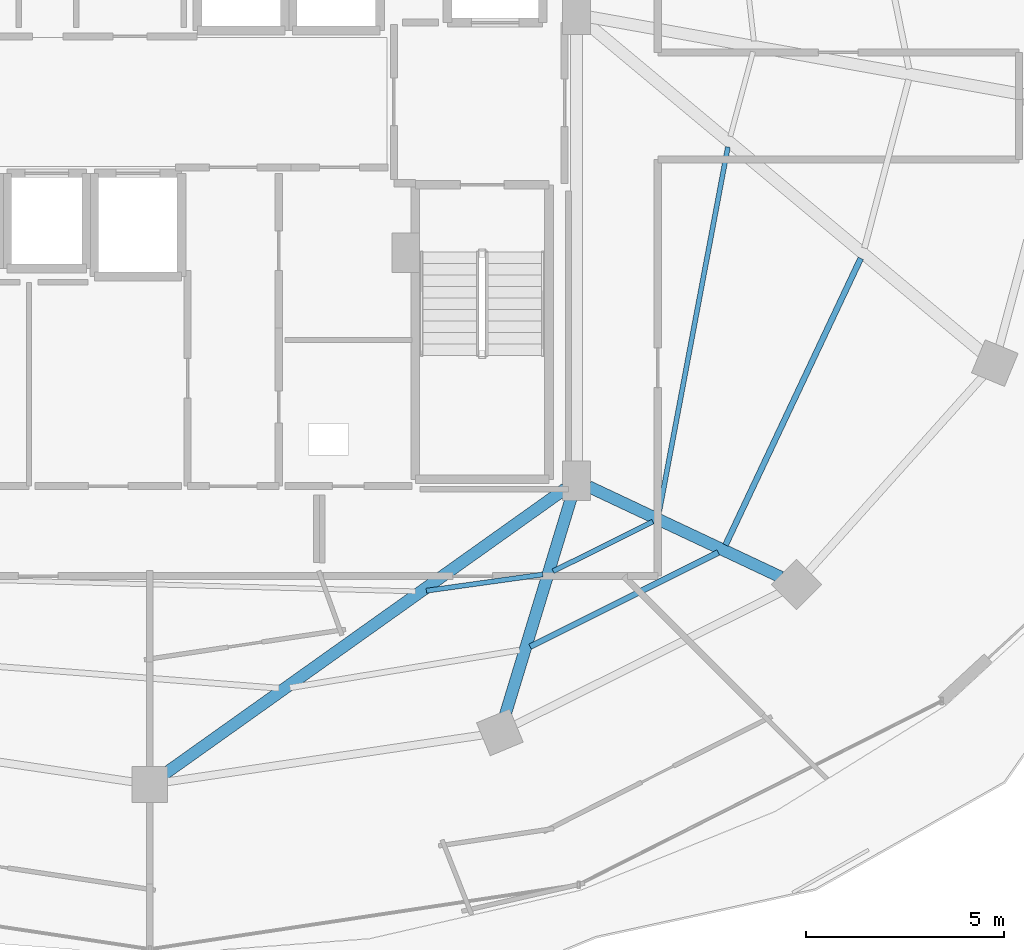
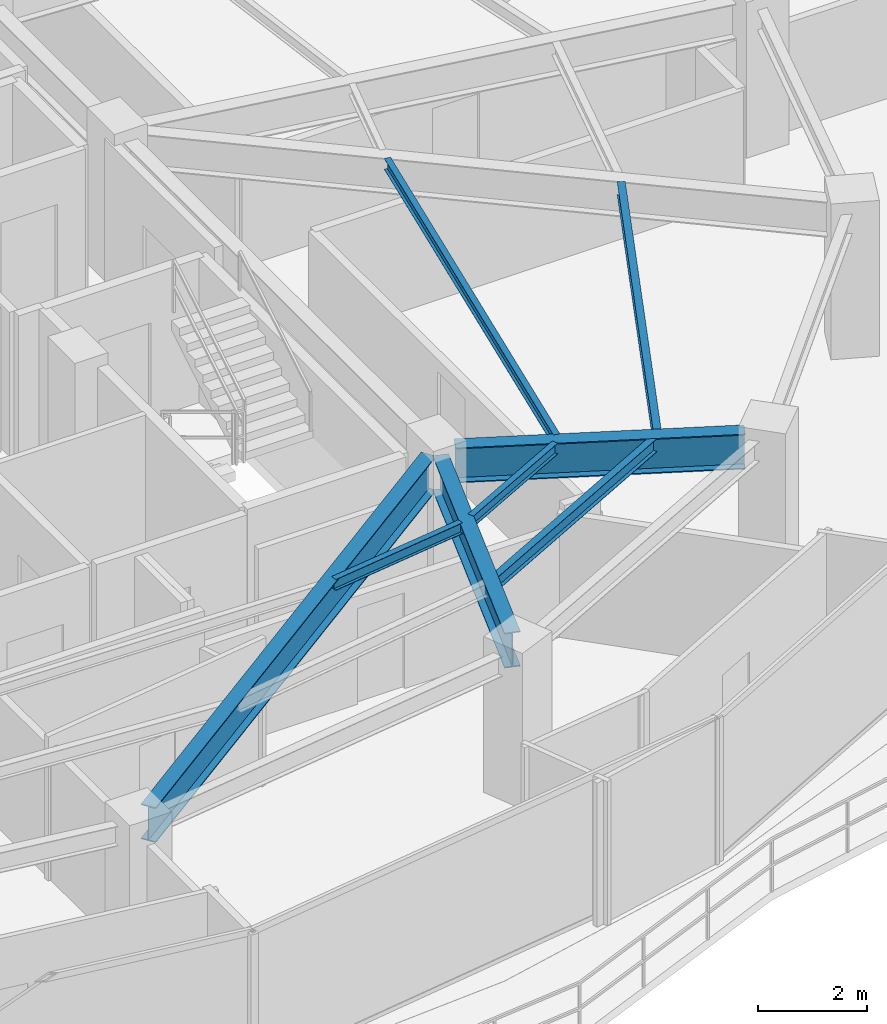
# One storey, part 12 of 33: 8 beams.
"""IFC4 building model written with IfcOpenShell, lengths in metres."""

from ifc_helpers import new_model, si_unit, direction, frame, origin, origin_2d, place, context, subcontext, project, spatial, i_section, extrude, material, material_profile, profile_set, type_object, element, save


model = new_model("IFC4")

# Units and contexts
model_context = context("Model", 3, precision=1e-05, world=origin(), true_north=direction((0.0, 1.0)))
body_context = subcontext(model_context, "Body", "Model", "MODEL_VIEW")
ifc_project = project(units=[si_unit("LENGTHUNIT", "METRE"), si_unit("AREAUNIT", "SQUARE_METRE"), si_unit("VOLUMEUNIT", "CUBIC_METRE"), si_unit("PLANEANGLEUNIT", "RADIAN"), si_unit("MASSUNIT", "GRAM", prefix="KILO")], contexts=[model_context])

# Site, building, storey
site_placement = place(None, origin())
site = spatial("IfcSite", under=ifc_project, at=site_placement, CompositionType="ELEMENT")
building_placement = place(site_placement, origin())
building = spatial("IfcBuilding", under=site, at=building_placement, Name="Vorneva Point Tower", CompositionType="ELEMENT")
storey_placement = place(building_placement, frame((0.0, 0.0, 189.60009765625)))
storey = spatial("IfcBuildingStorey", under=building, at=storey_placement, Name="L51", CompositionType="ELEMENT", Elevation=189.60009765625)

# Beams
ifc_material = material(Name="Steel S355", Category="steel")
ifc_material_profile_1 = material_profile(ifc_material, i_section(OverallWidth=0.300048828125, OverallDepth=0.7880859375, WebThickness=0.014404296875, FlangeThickness=0.02197265625, at=origin_2d()), Name="80Sh1")
ifc_profile_set_1 = profile_set([ifc_material_profile_1], Name="Steel S355")
beam_type_1 = type_object("IfcBeamType", Name="BM-GRD-80Sh1", PredefinedType="USERDEFINED", material=ifc_profile_set_1)
beam_1_placement = place(storey_placement, frame((38.35693359375, 9.053955078125, 2.845947265625), z_axis=(0.814749933852, 0.579812508737, 0.0), x_axis=(-0.579812508737, 0.814749933852, 0.0)))
element("IfcBeam", 1, at=beam_1_placement, inside=storey, type_object=beam_type_1, Name="L51 Radial Primary Girder 13", ObjectType="GIRDER", PredefinedType="USERDEFINED", context=body_context, shape_type="SweptSolid", body=[
    extrude(i_section(OverallWidth=0.300048828125, OverallDepth=0.7880859375, WebThickness=0.014404296875, FlangeThickness=0.02197265625, at=origin_2d()), origin(), (0.0, 0.0, 1.0), 12.416015625),
])
beam_2_placement = place(storey_placement, frame((46.948486328125, 10.5283203125, 2.845947265625), z_axis=(0.291025429135, 0.956715317948, 0.0), x_axis=(-0.956715317948, 0.291025429135, 0.0)))
element("IfcBeam", 2, at=beam_2_placement, inside=storey, type_object=beam_type_1, Name="L51 Radial Primary Girder 14", ObjectType="GIRDER", PredefinedType="USERDEFINED", context=body_context, shape_type="SweptSolid", body=[
    extrude(i_section(OverallWidth=0.300048828125, OverallDepth=0.7880859375, WebThickness=0.014404296875, FlangeThickness=0.02197265625, at=origin_2d()), origin(), (0.0, 0.0, 1.0), 5.849609375),
])
beam_3_placement = place(storey_placement, frame((53.902587890625, 14.0244140625, 2.845947265625), z_axis=(-0.904762899762, 0.42591559635, 0.0), x_axis=(-0.42591559635, -0.904762899762, 0.0)))
element("IfcBeam", 3, at=beam_3_placement, inside=storey, type_object=beam_type_1, Name="L51 Radial Primary Girder 15", ObjectType="GIRDER", PredefinedType="USERDEFINED", context=body_context, shape_type="SweptSolid", body=[
    extrude(i_section(OverallWidth=0.300048828125, OverallDepth=0.7880859375, WebThickness=0.014404296875, FlangeThickness=0.02197265625, at=origin_2d()), origin(), (0.0, 0.0, 1.0), 5.35498046875),
])
ifc_material_profile_2 = material_profile(ifc_material, i_section(OverallWidth=0.1240234375, OverallDepth=0.248046875, WebThickness=0.0048828125, FlangeThickness=0.008056640625, at=origin_2d()), Name="25B1")
ifc_profile_set_2 = profile_set([ifc_material_profile_2], Name="Steel S355")
beam_type_2 = type_object("IfcBeamType", Name="BM-JST-25B1", PredefinedType="JOIST", material=ifc_profile_set_2)
beam_4_placement = place(storey_placement, frame((44.968017578125, 13.680419921875, 3.115966796875), z_axis=(0.990354192347, 0.138558917797, 0.0), x_axis=(-0.138558917797, 0.990354192347, 0.0)))
element("IfcBeam", 4, at=beam_4_placement, inside=storey, type_object=beam_type_2, Name="L51 Secondary Floor Beam 2.13", PredefinedType="JOIST", context=body_context, shape_type="SweptSolid", body=[
    extrude(i_section(OverallWidth=0.1240234375, OverallDepth=0.248046875, WebThickness=0.0048828125, FlangeThickness=0.008056640625, at=origin_2d()), origin(), (0.0, 0.0, 1.0), 2.9619140625),
])
beam_5_placement = place(storey_placement, frame((48.16162109375, 14.17138671875, 3.115966796875), z_axis=(0.895432586212, 0.445197128865, 0.0), x_axis=(-0.445197128865, 0.895432586212, 0.0)))
element("IfcBeam", 5, at=beam_5_placement, inside=storey, type_object=beam_type_2, Name="L51 Secondary Floor Beam 2.14", PredefinedType="JOIST", context=body_context, shape_type="SweptSolid", body=[
    extrude(i_section(OverallWidth=0.1240234375, OverallDepth=0.248046875, WebThickness=0.0048828125, FlangeThickness=0.008056640625, at=origin_2d()), origin(), (0.0, 0.0, 1.0), 2.810546875),
])
beam_6_placement = place(storey_placement, frame((50.827392578125, 15.61962890625, 3.115966796875), z_axis=(0.184913715459, 0.982754759762, 0.0), x_axis=(-0.982754759762, 0.184913715459, 0.0)))
element("IfcBeam", 6, at=beam_6_placement, inside=storey, type_object=beam_type_2, Name="L51 Secondary Floor Beam 2.15", PredefinedType="JOIST", context=body_context, shape_type="SweptSolid", body=[
    extrude(i_section(OverallWidth=0.1240234375, OverallDepth=0.248046875, WebThickness=0.0048828125, FlangeThickness=0.008056640625, at=origin_2d()), origin(), (0.0, 0.0, 1.0), 9.406982421875),
])
ifc_material_profile_3 = material_profile(ifc_material, i_section(OverallWidth=0.14892578125, OverallDepth=0.298095703125, WebThickness=0.005615234375, FlangeThickness=0.008056640625, at=origin_2d()), Name="30B1")
ifc_profile_set_3 = profile_set([ifc_material_profile_3], Name="Steel S355")
beam_type_3 = type_object("IfcBeamType", Name="BM-JST-30B1", PredefinedType="JOIST", material=ifc_profile_set_3)
beam_7_placement = place(storey_placement, frame((47.58251953125, 12.26904296875, 3.0908203125), z_axis=(0.893966574165, 0.448133645552, 0.0), x_axis=(-0.448133645552, 0.893966574165, 0.0)))
element("IfcBeam", 7, at=beam_7_placement, inside=storey, type_object=beam_type_3, Name="L51 Secondary Floor Beam 1.14", PredefinedType="JOIST", context=body_context, shape_type="SweptSolid", body=[
    extrude(i_section(OverallWidth=0.14892578125, OverallDepth=0.298095703125, WebThickness=0.005615234375, FlangeThickness=0.008056640625, at=origin_2d()), origin(), (0.0, 0.0, 1.0), 5.3056640625),
])
beam_8_placement = place(storey_placement, frame((52.5078125, 14.83349609375, 3.0908203125), z_axis=(0.426607826977, 0.90443670976, 0.0), x_axis=(-0.90443670976, 0.426607826977, 0.0)))
element("IfcBeam", 8, at=beam_8_placement, inside=storey, type_object=beam_type_3, Name="L51 Secondary Floor Beam 1.15", PredefinedType="JOIST", context=body_context, shape_type="SweptSolid", body=[
    extrude(i_section(OverallWidth=0.14892578125, OverallDepth=0.298095703125, WebThickness=0.005615234375, FlangeThickness=0.008056640625, at=origin_2d()), origin(), (0.0, 0.0, 1.0), 7.988525390625),
])

save(model, "model.ifc")
